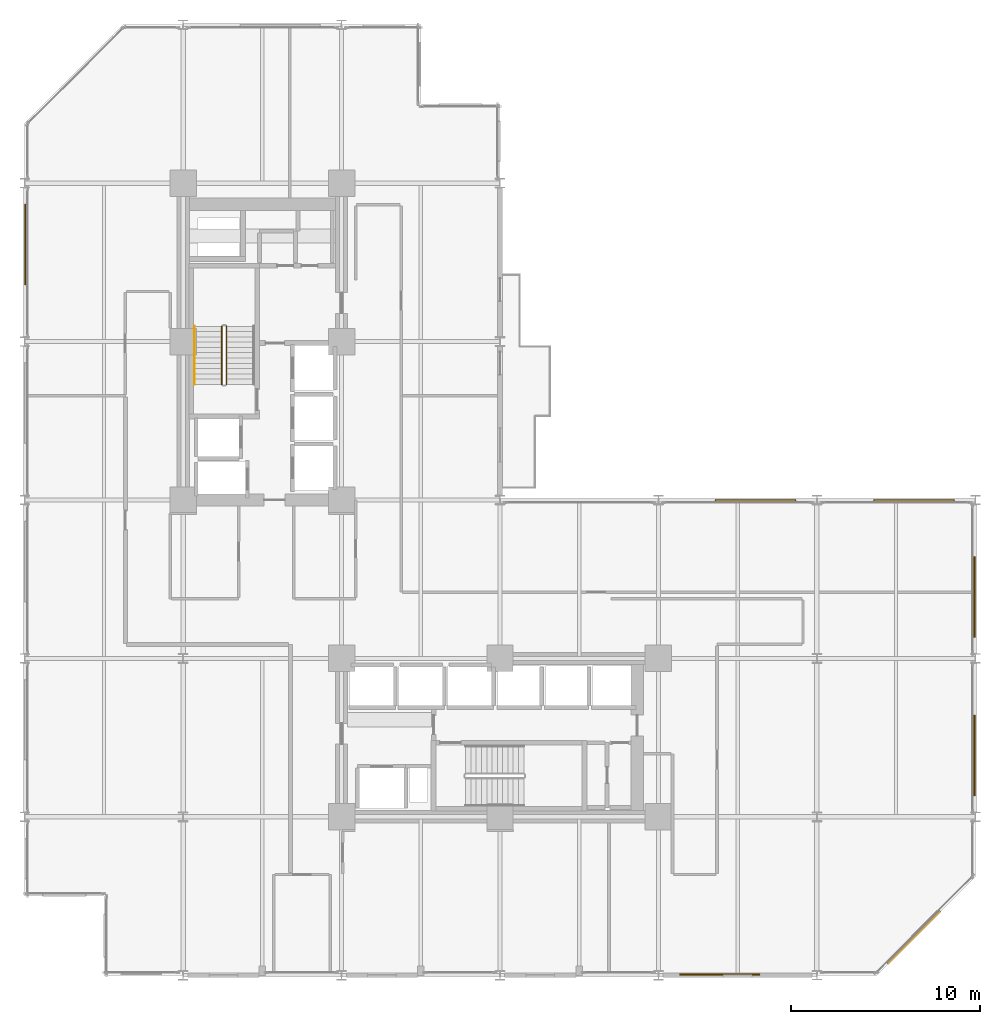
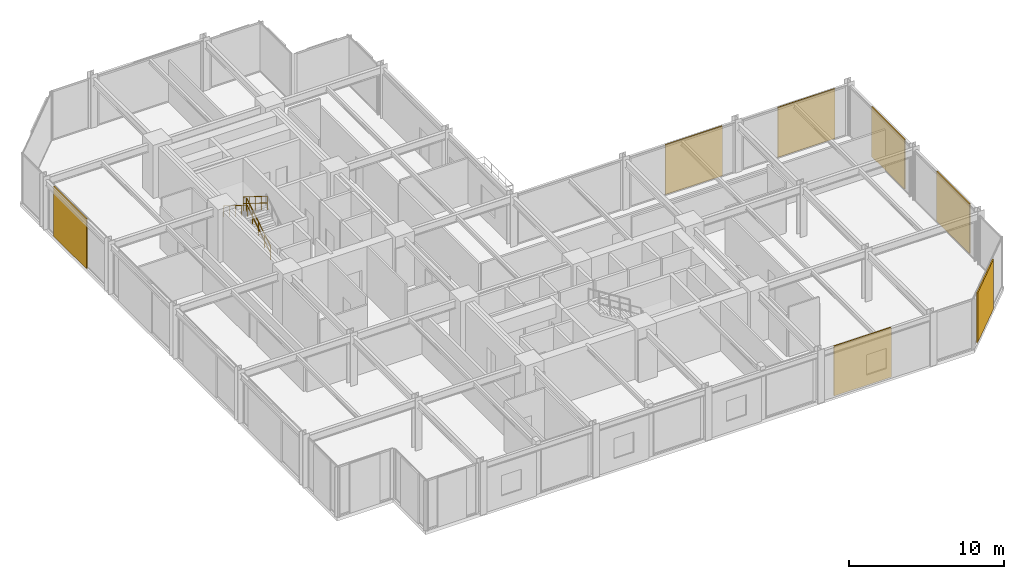
# One storey, part 23 of 24: 7 coverings, 3 railings.
"""IFC4 building model written with IfcOpenShell, lengths in metres."""

from ifc_helpers import new_model, si_unit, direction, frame, origin, origin_2d, place, context, subcontext, project, spatial, rectangle, circle, extrude, material, layer, layer_set, type_object, element, save


model = new_model("IFC4")

# Units and contexts
model_context = context("Model", 3, precision=1e-05, world=origin(), true_north=direction((0.0, 1.0)))
body_context = subcontext(model_context, "Body", "Model", "MODEL_VIEW")
ifc_project = project(units=[si_unit("LENGTHUNIT", "METRE"), si_unit("AREAUNIT", "SQUARE_METRE"), si_unit("VOLUMEUNIT", "CUBIC_METRE"), si_unit("PLANEANGLEUNIT", "RADIAN"), si_unit("MASSUNIT", "GRAM", prefix="KILO")], contexts=[model_context])

# Site, building, storey
site_placement = place(None, origin())
site = spatial("IfcSite", under=ifc_project, at=site_placement, CompositionType="ELEMENT")
building_placement = place(site_placement, origin())
building = spatial("IfcBuilding", under=site, at=building_placement, Name="Nerrivon Quay Data Exchange", CompositionType="ELEMENT")
storey_placement = place(building_placement, frame((0.0, 0.0, 50.0)))
storey = spatial("IfcBuildingStorey", under=building, at=storey_placement, Name="L11", CompositionType="ELEMENT", Elevation=50.0)

# Coverings
ifc_material_1 = material(Name="Architectural terracotta ceramic", Category="masonry")
ifc_layer = layer(ifc_material_1, 0.090087890625)
ifc_layer_set = layer_set([ifc_layer], Name="Architectural terracotta ceramic")
covering_type = type_object("IfcCoveringType", Name="COV-SCR-TERR", PredefinedType="CLADDING", material=ifc_layer_set)
covering_placement = place(storey_placement, frame((47.144287109375, 2.0078125, 0.0), z_axis=(0.0, 0.0, 1.0), x_axis=(-0.707106781187, -0.707106781187, 0.0)))
element("IfcCovering", 1, at=covering_placement, inside=storey, type_object=covering_type, Name="L11 Perforated Terracotta SOLAR SCREEN Cassette", PredefinedType="CLADDING", context=body_context, shape_type="SweptSolid", body=[
    extrude(rectangle(XDim=3.970947265625, YDim=0.090087890625, at=origin_2d()), origin(), (0.0, 0.0, 1.0), 3.925048828125),
])
for number, where, z_axis, x_axis, name in (
    (2, (36.85205078125, 0.044921875, 0.0), (0.0, 0.0, 1.0), (-1.0, 0.0, 0.0), "L11 Perforated Terracotta SOLAR SCREEN Cassette"),
    (3, (0.044921875, 38.748046875, 0.0), (0.0, 0.0, 1.0), (0.0, 1.0, 0.0), "L11 Perforated Terracotta SOLAR SCREEN Cassette"),
    (4, (38.748046875, 25.155029296875, 0.0), (0.0, 0.0, 1.0), (1.0, 0.0, 0.0), "L11 Perforated Terracotta SOLAR SCREEN Cassette"),
    (5, (47.14794921875, 25.155029296875, 0.0), (0.0, 0.0, 1.0), (1.0, 0.0, 0.0), "L11 Perforated Terracotta SOLAR SCREEN Cassette"),
    (6, (50.35498046875, 20.052001953125, 0.0), (0.0, 0.0, 1.0), (0.0, -1.0, 0.0), "L11 Perforated Terracotta SOLAR SCREEN Cassette"),
    (7, (50.35498046875, 11.652099609375, 0.0), (0.0, 0.0, 1.0), (0.0, -1.0, 0.0), "L11 Perforated Terracotta SOLAR SCREEN Cassette"),
):
    element("IfcCovering", number, at=place(storey_placement, frame(where, z_axis=z_axis, x_axis=x_axis)), inside=storey, type_object=covering_type, Name=name, PredefinedType="CLADDING", context=body_context, shape_type="SweptSolid", body=[
        extrude(rectangle(XDim=4.26611328125, YDim=0.090087890625, at=origin_2d()), origin(), (0.0, 0.0, 1.0), 3.925048828125),
    ])

# Railings
ifc_material_2 = material(Name="Steel Grade C350L0 (350 MPa)", Category="steel")
railing_type_1 = type_object("IfcRailingType", Name="RAIL-HAND-HR1", PredefinedType="HANDRAIL", material=ifc_material_2)
railing_1_placement = place(storey_placement, frame((9.0, 34.409912109375, 2.27490234375)))
element("IfcRailing", 8, at=railing_1_placement, inside=storey, type_object=railing_type_1, Name="L11 ST01 stair handrail 2", PredefinedType="HANDRAIL", context=body_context, shape_type="SweptSolid", body=[
    extrude(circle(Radius=0.02392578125, at=origin_2d()), frame((0.0, 0.0, 0.8759765625), z_axis=(0.0, -0.847979421464, 0.530029150871), x_axis=(1.0, 0.0, 0.0)), (0.0, 0.0, 1.0), 3.632080078125),
    extrude(circle(Radius=0.02099609375, at=origin_2d()), origin(), (0.0, 0.0, 1.0), 0.851806640625),
    extrude(circle(Radius=0.02099609375, at=origin_2d()), frame((0.0, -0.77001953125, 0.481201171875)), (0.0, 0.0, 1.0), 0.851806640625),
    extrude(circle(Radius=0.02099609375, at=origin_2d()), frame((0.0, -1.5400390625, 0.96240234375)), (0.0, 0.0, 1.0), 0.851806640625),
    extrude(circle(Radius=0.02099609375, at=origin_2d()), frame((0.0, -2.309814453125, 1.44384765625)), (0.0, 0.0, 1.0), 0.851806640625),
    extrude(circle(Radius=0.02099609375, at=origin_2d()), frame((0.0, -3.079833984375, 1.925048828125)), (0.0, 0.0, 1.0), 0.851806640625),
])
railing_type_2 = type_object("IfcRailingType", Name="RAIL-STAIR-GR1", PredefinedType="BALUSTRADE", material=ifc_material_2)
railing_2_placement = place(storey_placement, frame((10.699951171875, 31.330078125, 0.175048828125)))
element("IfcRailing", 9, at=railing_2_placement, inside=storey, type_object=railing_type_2, Name="L11 ST01 stair guard 1", PredefinedType="BALUSTRADE", context=body_context, shape_type="SweptSolid", body=[
    extrude(circle(Radius=0.02392578125, at=origin_2d()), frame((0.0, 0.0, 1.076171875), z_axis=(0.0, 0.847979421464, 0.530029150871), x_axis=(-1.0, 0.0, 0.0)), (0.0, 0.0, 1.0), 3.632080078125),
    extrude(circle(Radius=0.02392578125, at=origin_2d()), frame((0.0, 0.0, 0.550048828125), z_axis=(0.0, 0.847979421464, 0.530029150871), x_axis=(-1.0, 0.0, 0.0)), (0.0, 0.0, 1.0), 3.632080078125),
    extrude(circle(Radius=0.02099609375, at=origin_2d()), origin(), (0.0, 0.0, 1.0), 1.052001953125),
    extrude(circle(Radius=0.02099609375, at=origin_2d()), frame((0.0, 0.77001953125, 0.481201171875)), (0.0, 0.0, 1.0), 1.052001953125),
    extrude(circle(Radius=0.02099609375, at=origin_2d()), frame((0.0, 1.5400390625, 0.96240234375)), (0.0, 0.0, 1.0), 1.052001953125),
    extrude(circle(Radius=0.02099609375, at=origin_2d()), frame((0.0, 2.309814453125, 1.44384765625)), (0.0, 0.0, 1.0), 1.052001953125),
    extrude(circle(Radius=0.02099609375, at=origin_2d()), frame((0.0, 3.079833984375, 1.925048828125)), (0.0, 0.0, 1.0), 1.052001953125),
])
railing_3_placement = place(storey_placement, frame((10.449951171875, 34.409912109375, 2.27490234375)))
element("IfcRailing", 10, at=railing_3_placement, inside=storey, type_object=railing_type_2, Name="L11 ST01 stair guard 3", PredefinedType="BALUSTRADE", context=body_context, shape_type="SweptSolid", body=[
    extrude(circle(Radius=0.02392578125, at=origin_2d()), frame((0.0, 0.0, 1.076171875), z_axis=(0.0, -0.847979421464, 0.530029150871), x_axis=(1.0, 0.0, 0.0)), (0.0, 0.0, 1.0), 3.632080078125),
    extrude(circle(Radius=0.02392578125, at=origin_2d()), frame((0.0, 0.0, 0.550048828125), z_axis=(0.0, -0.847979421464, 0.530029150871), x_axis=(1.0, 0.0, 0.0)), (0.0, 0.0, 1.0), 3.632080078125),
    extrude(circle(Radius=0.02099609375, at=origin_2d()), origin(), (0.0, 0.0, 1.0), 1.052001953125),
    extrude(circle(Radius=0.02099609375, at=origin_2d()), frame((0.0, -0.77001953125, 0.481201171875)), (0.0, 0.0, 1.0), 1.052001953125),
    extrude(circle(Radius=0.02099609375, at=origin_2d()), frame((0.0, -1.5400390625, 0.96240234375)), (0.0, 0.0, 1.0), 1.052001953125),
    extrude(circle(Radius=0.02099609375, at=origin_2d()), frame((0.0, -2.309814453125, 1.44384765625)), (0.0, 0.0, 1.0), 1.052001953125),
    extrude(circle(Radius=0.02099609375, at=origin_2d()), frame((0.0, -3.079833984375, 1.925048828125)), (0.0, 0.0, 1.0), 1.052001953125),
])

save(model, "model.ifc")
